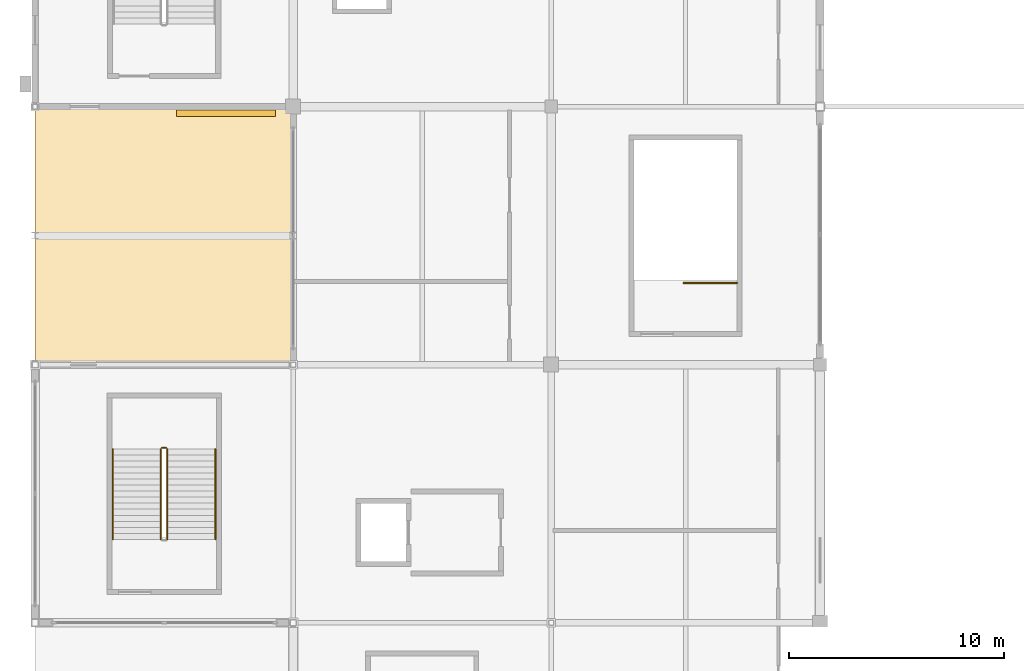
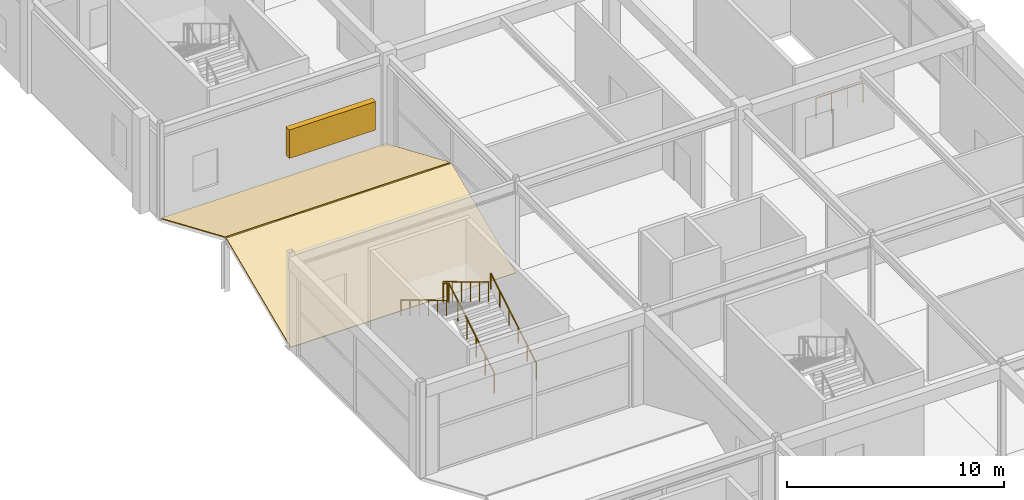
# One storey, part 93 of 105: 6 railings, 2 coverings, 1 shading device.
"""IFC4 building model written with IfcOpenShell, lengths in metres."""

from ifc_helpers import new_model, si_unit, direction, frame, origin, origin_2d, place, context, subcontext, project, spatial, polyline, rectangle, circle, outline, extrude, material, layer, layer_set, type_object, element, save


model = new_model("IFC4")

# Units and contexts
model_context = context("Model", 3, precision=1e-05, world=origin(), true_north=direction((0.0, 1.0)))
body_context = subcontext(model_context, "Body", "Model", "MODEL_VIEW")
ifc_project = project(units=[si_unit("LENGTHUNIT", "METRE"), si_unit("AREAUNIT", "SQUARE_METRE"), si_unit("VOLUMEUNIT", "CUBIC_METRE"), si_unit("PLANEANGLEUNIT", "RADIAN"), si_unit("MASSUNIT", "GRAM", prefix="KILO")], contexts=[model_context])

# Site, building, storey
site_placement = place(None, origin())
site = spatial("IfcSite", under=ifc_project, at=site_placement, CompositionType="ELEMENT")
building_placement = place(site_placement, origin())
building = spatial("IfcBuilding", under=site, at=building_placement, Name="Kazenohara Klinker Stadium", CompositionType="ELEMENT")
storey_placement = place(building_placement, frame((0.0, 0.0, 20.39990234375)))
storey = spatial("IfcBuildingStorey", under=building, at=storey_placement, Name="L04", CompositionType="ELEMENT", Elevation=20.39990234375)

# Coverings
ifc_material_1 = material(Name="Insulated standing-seam copper roofing", Category="metal")
ifc_layer_1 = layer(ifc_material_1, 0.050048828125)
ifc_layer_set_1 = layer_set([ifc_layer_1], Name="Insulated standing-seam copper roofing")
covering_type = type_object("IfcCoveringType", Name="COV-ROOF-01", PredefinedType="ROOFING", material=ifc_layer_set_1)
for number, where, z_axis, x_axis, name in (
    (1, (0.0, 120.0, -0.02978515625), (0.0, -0.393896539344, 0.919154783642), (1.0, 0.0, 0.0), "Standing-seam copper stepped wing roofing L04-A 1/L"),
    (2, (0.0, 126.050048828125, 2.52001953125), (0.0, 0.393896539344, 0.919154783642), (1.0, 0.0, 0.0), "Standing-seam copper stepped wing roofing L04-B 1/L"),
):
    element("IfcCovering", number, at=place(storey_placement, frame(where, z_axis=z_axis, x_axis=x_axis)), inside=storey, type_object=covering_type, Name=name, PredefinedType="ROOFING", context=body_context, shape_type="SweptSolid", body=[
        extrude(outline(polyline([(0.0, 0.0), (12.0, 0.0), (12.0, 6.473285324477336), (0.0, 6.473285324477336), (0.0, 0.0)])), origin(), (0.0, 0.0, -1.0), 0.050048828125),
    ])

# Railings
ifc_material_2 = material(Name="Brushed stainless steel 304 handrail", Category="steel")
ifc_layer_2 = layer(ifc_material_2, 0.050048828125)
ifc_layer_set_2 = layer_set([ifc_layer_2], Name="Brushed stainless steel 304 handrail")
railing_type_1 = type_object("IfcRailingType", Name="RL-HND-900", PredefinedType="HANDRAIL", material=ifc_layer_set_2)
railing_1_placement = place(storey_placement, frame((8.389892578125, 111.8798828125, 0.1689453125)))
element("IfcRailing", 3, at=railing_1_placement, inside=storey, type_object=railing_type_1, Name="L04 ST04 stair handrail 1", PredefinedType="HANDRAIL", context=body_context, shape_type="SweptSolid", body=[
    extrude(circle(Radius=0.02392578125, at=origin_2d()), frame((0.0, 0.0, 0.8759765625), z_axis=(0.0, 0.856489757249, 0.516164020179), x_axis=(-1.0, 0.0, 0.0)), (0.0, 0.0, 1.0), 4.904052734375),
    extrude(circle(Radius=0.02099609375, at=origin_2d()), origin(), (0.0, 0.0, 1.0), 0.851806640625),
    extrude(circle(Radius=0.02099609375, at=origin_2d()), frame((0.0, 0.840087890625, 0.50634765625)), (0.0, 0.0, 1.0), 0.851806640625),
    extrude(circle(Radius=0.02099609375, at=origin_2d()), frame((0.0, 1.68017578125, 1.012451171875)), (0.0, 0.0, 1.0), 0.851806640625),
    extrude(circle(Radius=0.02099609375, at=origin_2d()), frame((0.0, 2.52001953125, 1.518798828125)), (0.0, 0.0, 1.0), 0.851806640625),
    extrude(circle(Radius=0.02099609375, at=origin_2d()), frame((0.0, 3.360107421875, 2.02490234375)), (0.0, 0.0, 1.0), 0.851806640625),
    extrude(circle(Radius=0.02099609375, at=origin_2d()), frame((0.0, 4.2001953125, 2.53125)), (0.0, 0.0, 1.0), 0.851806640625),
])
railing_2_placement = place(storey_placement, frame((3.610107421875, 116.080078125, 2.868896484375)))
element("IfcRailing", 4, at=railing_2_placement, inside=storey, type_object=railing_type_1, Name="L04 ST04 stair handrail 2", PredefinedType="HANDRAIL", context=body_context, shape_type="SweptSolid", body=[
    extrude(circle(Radius=0.02392578125, at=origin_2d()), frame((0.0, 0.0, 0.8759765625), z_axis=(0.0, -0.856489757249, 0.516164020179), x_axis=(1.0, 0.0, 0.0)), (0.0, 0.0, 1.0), 4.904052734375),
    extrude(circle(Radius=0.02099609375, at=origin_2d()), origin(), (0.0, 0.0, 1.0), 0.851806640625),
    extrude(circle(Radius=0.02099609375, at=origin_2d()), frame((0.0, -0.840087890625, 0.50634765625)), (0.0, 0.0, 1.0), 0.851806640625),
    extrude(circle(Radius=0.02099609375, at=origin_2d()), frame((0.0, -1.68017578125, 1.012451171875)), (0.0, 0.0, 1.0), 0.851806640625),
    extrude(circle(Radius=0.02099609375, at=origin_2d()), frame((0.0, -2.52001953125, 1.518798828125)), (0.0, 0.0, 1.0), 0.851806640625),
    extrude(circle(Radius=0.02099609375, at=origin_2d()), frame((0.0, -3.360107421875, 2.02490234375)), (0.0, 0.0, 1.0), 0.851806640625),
    extrude(circle(Radius=0.02099609375, at=origin_2d()), frame((0.0, -4.2001953125, 2.53125)), (0.0, 0.0, 1.0), 0.851806640625),
])
ifc_material_3 = material(Name="Painted steel stairwell guardrail", Category="steel")
ifc_layer_3 = layer(ifc_material_3, 0.06005859375)
ifc_layer_set_3 = layer_set([ifc_layer_3], Name="Painted steel stairwell guardrail")
railing_type_2 = type_object("IfcRailingType", Name="RL-STG-1120", PredefinedType="GUARDRAIL", material=ifc_layer_set_3)
railing_3_placement = place(storey_placement, frame((6.14990234375, 111.8798828125, 0.1689453125)))
element("IfcRailing", 5, at=railing_3_placement, inside=storey, type_object=railing_type_2, Name="L04 ST04 stair guard 1", PredefinedType="GUARDRAIL", context=body_context, shape_type="SweptSolid", body=[
    extrude(circle(Radius=0.02392578125, at=origin_2d()), frame((0.0, 0.0, 1.1259765625), z_axis=(0.0, 0.856489757249, 0.516164020179), x_axis=(-1.0, 0.0, 0.0)), (0.0, 0.0, 1.0), 4.904052734375),
    extrude(circle(Radius=0.02099609375, at=origin_2d()), origin(), (0.0, 0.0, 1.0), 1.101806640625),
    extrude(circle(Radius=0.02099609375, at=origin_2d()), frame((0.0, 0.840087890625, 0.50634765625)), (0.0, 0.0, 1.0), 1.101806640625),
    extrude(circle(Radius=0.02099609375, at=origin_2d()), frame((0.0, 1.68017578125, 1.012451171875)), (0.0, 0.0, 1.0), 1.101806640625),
    extrude(circle(Radius=0.02099609375, at=origin_2d()), frame((0.0, 2.52001953125, 1.518798828125)), (0.0, 0.0, 1.0), 1.101806640625),
    extrude(circle(Radius=0.02099609375, at=origin_2d()), frame((0.0, 3.360107421875, 2.02490234375)), (0.0, 0.0, 1.0), 1.101806640625),
    extrude(circle(Radius=0.02099609375, at=origin_2d()), frame((0.0, 4.2001953125, 2.53125)), (0.0, 0.0, 1.0), 1.101806640625),
])
railing_4_placement = place(storey_placement, frame((6.10009765625, 116.1298828125, 2.7001953125)))
element("IfcRailing", 6, at=railing_4_placement, inside=storey, type_object=railing_type_2, Name="L04 ST04 stair guard 2", PredefinedType="GUARDRAIL", context=body_context, shape_type="SweptSolid", body=[
    extrude(circle(Radius=0.02392578125, at=origin_2d()), frame((0.0, 0.0, 1.1259765625), z_axis=(-1.0, 0.0, 0.0), x_axis=(0.0, -1.0, 0.0)), (0.0, 0.0, 1.0), 0.2001953125),
    extrude(circle(Radius=0.02099609375, at=origin_2d()), origin(), (0.0, 0.0, 1.0), 1.101806640625),
    extrude(circle(Radius=0.02099609375, at=origin_2d()), frame((-0.2001953125, 0.0, 0.0)), (0.0, 0.0, 1.0), 1.101806640625),
])
railing_5_placement = place(storey_placement, frame((5.85009765625, 116.080078125, 2.868896484375)))
element("IfcRailing", 7, at=railing_5_placement, inside=storey, type_object=railing_type_2, Name="L04 ST04 stair guard 3", PredefinedType="GUARDRAIL", context=body_context, shape_type="SweptSolid", body=[
    extrude(circle(Radius=0.02392578125, at=origin_2d()), frame((0.0, 0.0, 1.1259765625), z_axis=(0.0, -0.856489757249, 0.516164020179), x_axis=(1.0, 0.0, 0.0)), (0.0, 0.0, 1.0), 4.904052734375),
    extrude(circle(Radius=0.02099609375, at=origin_2d()), origin(), (0.0, 0.0, 1.0), 1.101806640625),
    extrude(circle(Radius=0.02099609375, at=origin_2d()), frame((0.0, -0.840087890625, 0.50634765625)), (0.0, 0.0, 1.0), 1.101806640625),
    extrude(circle(Radius=0.02099609375, at=origin_2d()), frame((0.0, -1.68017578125, 1.012451171875)), (0.0, 0.0, 1.0), 1.101806640625),
    extrude(circle(Radius=0.02099609375, at=origin_2d()), frame((0.0, -2.52001953125, 1.518798828125)), (0.0, 0.0, 1.0), 1.101806640625),
    extrude(circle(Radius=0.02099609375, at=origin_2d()), frame((0.0, -3.360107421875, 2.02490234375)), (0.0, 0.0, 1.0), 1.101806640625),
    extrude(circle(Radius=0.02099609375, at=origin_2d()), frame((0.0, -4.2001953125, 2.53125)), (0.0, 0.0, 1.0), 1.101806640625),
])
railing_6_placement = place(storey_placement, frame((32.659912109375, 123.800048828125, 0.0)))
element("IfcRailing", 8, at=railing_6_placement, inside=storey, type_object=railing_type_2, Name="L04 ST18 top well guard 1", PredefinedType="GUARDRAIL", context=body_context, shape_type="SweptSolid", body=[
    extrude(circle(Radius=0.02392578125, at=origin_2d()), frame((0.0, 0.0, 1.1259765625), z_axis=(-1.0, 0.0, 0.0), x_axis=(0.0, -1.0, 0.0)), (0.0, 0.0, 1.0), 2.510009765625),
    extrude(circle(Radius=0.02099609375, at=origin_2d()), origin(), (0.0, 0.0, 1.0), 1.101806640625),
    extrude(circle(Radius=0.02099609375, at=origin_2d()), frame((-0.836669921875, 0.0, 0.0)), (0.0, 0.0, 1.0), 1.101806640625),
    extrude(circle(Radius=0.02099609375, at=origin_2d()), frame((-1.67333984375, 0.0, 0.0)), (0.0, 0.0, 1.0), 1.101806640625),
    extrude(circle(Radius=0.02099609375, at=origin_2d()), frame((-2.510009765625, 0.0, 0.0)), (0.0, 0.0, 1.0), 1.101806640625),
])

# Shading device
ifc_material_4 = material(Name="Perforated clinker-brick and bronze louvre grille", Category="masonry")
shading_device_type = type_object("IfcShadingDeviceType", Name="SHD-LOUV-03", PredefinedType="JALOUSIE", material=ifc_material_4)
shading_device_placement = place(storey_placement, frame((8.8818359375, 131.68994140625, 1.300048828125), z_axis=(0.0, 0.0, 1.0), x_axis=(1.0, 0.0, 0.0)))
element("IfcShadingDevice", 9, at=shading_device_placement, inside=storey, type_object=shading_device_type, Name="Perforated clinker-brick louvre screen LV03-20", PredefinedType="JALOUSIE", context=body_context, shape_type="SweptSolid", body=[
    extrude(rectangle(XDim=4.60009765625, YDim=0.320068359375, at=origin_2d()), origin(), (0.0, 0.0, 1.0), 1.60009765625),
])

save(model, "model.ifc")
